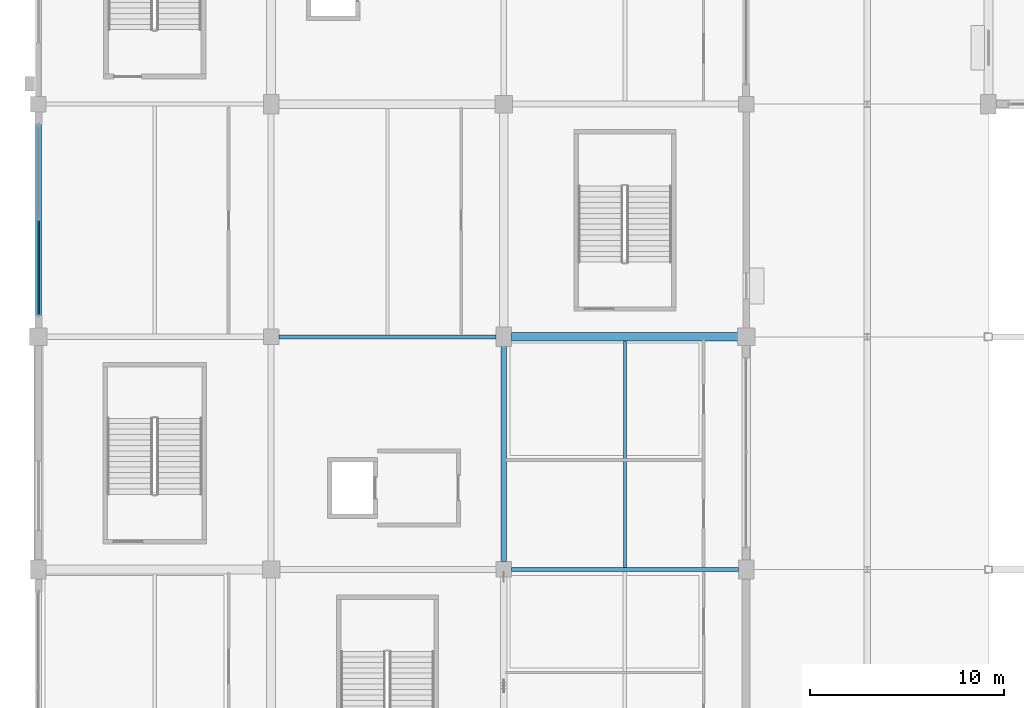
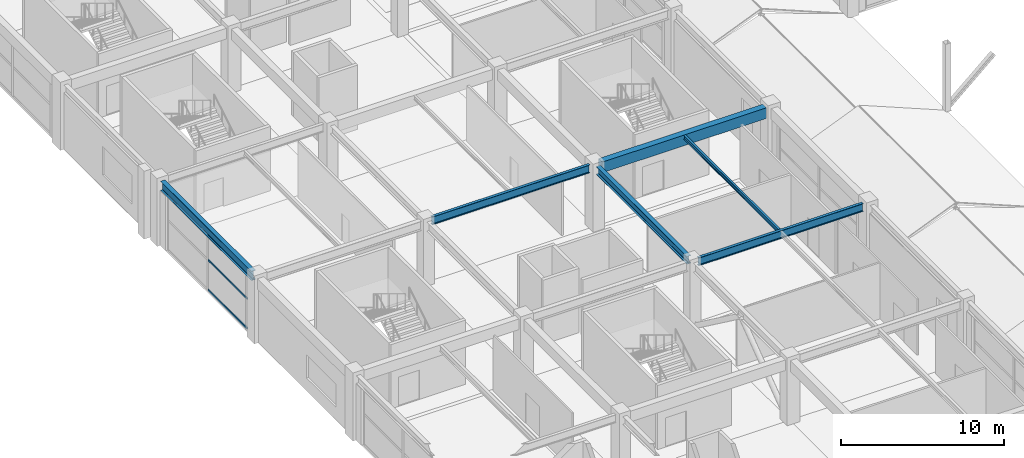
# One storey, part 26 of 116: 6 beams, 3 members, 1 element without a shape of its own.
"""IFC4 building model written with IfcOpenShell, lengths in metres."""

from ifc_helpers import new_model, si_unit, direction, frame, origin, origin_2d, place, context, subcontext, project, spatial, rectangle, i_section, extrude, material, layer, layer_set, material_profile, profile_set, type_object, element, aggregate, save


model = new_model("IFC4")

# Units and contexts
model_context = context("Model", 3, precision=1e-05, world=origin(), true_north=direction((0.0, 1.0)))
body_context = subcontext(model_context, "Body", "Model", "MODEL_VIEW")
ifc_project = project(units=[si_unit("LENGTHUNIT", "METRE"), si_unit("AREAUNIT", "SQUARE_METRE"), si_unit("VOLUMEUNIT", "CUBIC_METRE"), si_unit("PLANEANGLEUNIT", "RADIAN"), si_unit("MASSUNIT", "GRAM", prefix="KILO")], contexts=[model_context])

# Site, building, storey
site_placement = place(None, origin())
site = spatial("IfcSite", under=ifc_project, at=site_placement, CompositionType="ELEMENT")
building_placement = place(site_placement, origin())
building = spatial("IfcBuilding", under=site, at=building_placement, Name="Kazenohara Klinker Stadium", CompositionType="ELEMENT")
storey_placement = place(building_placement, frame((0.0, 0.0, 10.199951171875)))
storey = spatial("IfcBuildingStorey", under=building, at=storey_placement, Name="L02", CompositionType="ELEMENT", Elevation=10.199951171875)

# Beams
ifc_material_1 = material(Name="Steel S355", Category="steel")
ifc_material_profile_1 = material_profile(ifc_material_1, i_section(OverallWidth=0.14990234375, OverallDepth=0.300048828125, WebThickness=0.006591796875, FlangeThickness=0.009033203125, FilletRadius=0.012939453125, at=origin_2d()), Name="H-300x150x6.5x9")
ifc_profile_set_1 = profile_set([ifc_material_profile_1], Name="Steel S355")
beam_type_1 = type_object("IfcBeamType", Name="BM-JST05", PredefinedType="JOIST", material=ifc_profile_set_1)
beam_1_placement = place(storey_placement, frame((30.25, 108.10009765625, 4.670166015625), z_axis=(0.0, 1.0, 0.0), x_axis=(-1.0, 0.0, 0.0)))
element("IfcBeam", 1, at=beam_1_placement, inside=storey, type_object=beam_type_1, Name="Secondary floor joist SJ05 L02 3/K", PredefinedType="JOIST", context=body_context, shape_type="SweptSolid", body=[
    extrude(i_section(OverallWidth=0.14990234375, OverallDepth=0.300048828125, WebThickness=0.006591796875, FlangeThickness=0.009033203125, FilletRadius=0.012939453125, at=origin_2d()), origin(), (0.0, 0.0, 1.0), 11.6748046875),
])
ifc_material_2 = material(Name="Concrete C40/50", Category="concrete")
ifc_material_profile_2 = material_profile(ifc_material_2, rectangle(XDim=0.449951171875, YDim=0.800048828125, at=origin_2d()), Name="RC-BM-450x800")
ifc_profile_set_2 = profile_set([ifc_material_profile_2], Name="Concrete C40/50")
beam_type_2 = type_object("IfcBeamType", Name="BM-RC03", PredefinedType="BEAM", material=ifc_profile_set_2)
beam_2_placement = place(storey_placement, frame((24.39990234375, 120.0, 4.420166015625), z_axis=(1.0, 0.0, 0.0), x_axis=(0.0, 1.0, 0.0)))
element("IfcBeam", 2, at=beam_2_placement, inside=storey, type_object=beam_type_2, Name="Primary girder BG03 L02 3-4/L", PredefinedType="BEAM", context=body_context, shape_type="SweptSolid", body=[
    extrude(rectangle(XDim=0.449951171875, YDim=0.800048828125, at=origin_2d()), origin(), (0.0, 0.0, 1.0), 11.68017578125),
])
ifc_material_profile_3 = material_profile(ifc_material_1, i_section(OverallWidth=0.300048828125, OverallDepth=0.699951171875, WebThickness=0.012939453125, FlangeThickness=0.02392578125, FilletRadius=0.02197265625, at=origin_2d()), Name="H-700x300x13x24")
ifc_profile_set_3 = profile_set([ifc_material_profile_3], Name="Steel S355")
beam_type_3 = type_object("IfcBeamType", Name="BM-ST03", PredefinedType="BEAM", material=ifc_profile_set_3)
beam_3_placement = place(storey_placement, frame((0.0, 120.419921875, 4.469970703125), z_axis=(0.0, 1.0, 0.0), x_axis=(-1.0, 0.0, 0.0)))
element("IfcBeam", 3, at=beam_3_placement, inside=storey, type_object=beam_type_3, Name="Primary girder SB03 L02 1/L-M", PredefinedType="BEAM", context=body_context, shape_type="SweptSolid", body=[
    extrude(i_section(OverallWidth=0.300048828125, OverallDepth=0.699951171875, WebThickness=0.012939453125, FlangeThickness=0.02392578125, FilletRadius=0.02197265625, at=origin_2d()), origin(), (0.0, 0.0, 1.0), 11.18017578125),
])
ifc_material_profile_4 = material_profile(ifc_material_1, i_section(OverallWidth=0.199951171875, OverallDepth=0.60009765625, WebThickness=0.010986328125, FlangeThickness=0.01708984375, FilletRadius=0.012939453125, at=origin_2d()), Name="H-600x200x11x17")
ifc_profile_set_4 = profile_set([ifc_material_profile_4], Name="Steel S355")
beam_type_4 = type_object("IfcBeamType", Name="BM-ST04", PredefinedType="BEAM", material=ifc_profile_set_4)
beam_4_placement = place(storey_placement, frame((12.39990234375, 120.0, 4.52001953125), z_axis=(1.0, 0.0, 0.0), x_axis=(0.0, 1.0, 0.0)))
element("IfcBeam", 4, at=beam_4_placement, inside=storey, type_object=beam_type_4, Name="Primary girder SB04 L02 2-3/L", PredefinedType="BEAM", context=body_context, shape_type="SweptSolid", body=[
    extrude(i_section(OverallWidth=0.199951171875, OverallDepth=0.60009765625, WebThickness=0.010986328125, FlangeThickness=0.01708984375, FilletRadius=0.012939453125, at=origin_2d()), origin(), (0.0, 0.0, 1.0), 11.2001953125),
])
beam_5_placement = place(storey_placement, frame((24.39990234375, 108.0, 4.52001953125), z_axis=(1.0, 0.0, 0.0), x_axis=(0.0, 1.0, 0.0)))
element("IfcBeam", 5, at=beam_5_placement, inside=storey, type_object=beam_type_4, Name="Primary girder SB04 L02 3-4/K", PredefinedType="BEAM", context=body_context, shape_type="SweptSolid", body=[
    extrude(i_section(OverallWidth=0.199951171875, OverallDepth=0.60009765625, WebThickness=0.010986328125, FlangeThickness=0.01708984375, FilletRadius=0.012939453125, at=origin_2d()), origin(), (0.0, 0.0, 1.0), 11.7001953125),
])
ifc_material_profile_5 = material_profile(ifc_material_1, i_section(OverallWidth=0.300048828125, OverallDepth=0.587890625, WebThickness=0.011962890625, FlangeThickness=0.02001953125, FilletRadius=0.02197265625, at=origin_2d()), Name="H-588x300x12x20")
ifc_profile_set_5 = profile_set([ifc_material_profile_5], Name="Steel S355")
beam_type_5 = type_object("IfcBeamType", Name="BM-ST05", PredefinedType="BEAM", material=ifc_profile_set_5)
beam_6_placement = place(storey_placement, frame((24.0, 108.39990234375, 4.526123046875), z_axis=(0.0, 1.0, 0.0), x_axis=(-1.0, 0.0, 0.0)))
element("IfcBeam", 6, at=beam_6_placement, inside=storey, type_object=beam_type_5, Name="Primary girder SB05 L02 3/K-L", PredefinedType="BEAM", context=body_context, shape_type="SweptSolid", body=[
    extrude(i_section(OverallWidth=0.300048828125, OverallDepth=0.587890625, WebThickness=0.011962890625, FlangeThickness=0.02001953125, FilletRadius=0.02197265625, at=origin_2d()), origin(), (0.0, 0.0, 1.0), 11.18017578125),
])

# Curtain wall, members
ifc_material_3 = material(Name="Anodised aluminium and triple glazing", Category="aluminium")
ifc_layer = layer(ifc_material_3, 0.159912109375)
ifc_layer_set = layer_set([ifc_layer], Name="Anodised aluminium and triple glazing")
curtain_wall_type = type_object("IfcCurtainWallType", Name="CW-SYS-01", PredefinedType="USERDEFINED", material=ifc_layer_set)
curtain_wall_placement = place(storey_placement, origin())
curtain_wall = element("IfcCurtainWall", 7, at=curtain_wall_placement, inside=storey, type_object=curtain_wall_type, Name="Unitised facade curtain wall CW01 L02 Y0-10", ObjectType="UNITISED CURTAIN WALL", PredefinedType="USERDEFINED")
ifc_material_4 = material(Name="Anodised aluminium 6063-T6", Category="aluminium")
ifc_material_profile_6 = material_profile(ifc_material_4, rectangle(XDim=0.06494140625, YDim=0.139892578125, at=origin_2d()), Name="ALU-TRN-65x140")
ifc_profile_set_6 = profile_set([ifc_material_profile_6], Name="Anodised aluminium 6063-T6")
member_type = type_object("IfcMemberType", Name="CW-TRN-140", PredefinedType="USERDEFINED", material=ifc_profile_set_6)
member_1_placement = place(storey_placement, frame((0.0, 121.1689453125, 0.032470703125), z_axis=(0.0, 1.0, 0.0), x_axis=(-1.0, 0.0, 0.0)))
member_1 = element("IfcMember", 8, at=member_1_placement, type_object=member_type, Name="CW01 transom 1.1", ObjectType="TRANSOM", PredefinedType="USERDEFINED", context=body_context, shape_type="SweptSolid", body=[
    extrude(rectangle(XDim=0.06494140625, YDim=0.139892578125, at=origin_2d()), origin(), (0.0, 0.0, 1.0), 4.823486328125),
])
member_2_placement = place(storey_placement, frame((0.0, 121.1689453125, 2.26611328125), z_axis=(0.0, 1.0, 0.0), x_axis=(-1.0, 0.0, 0.0)))
member_2 = element("IfcMember", 9, at=member_2_placement, type_object=member_type, Name="CW01 transom 1.2", ObjectType="TRANSOM", PredefinedType="USERDEFINED", context=body_context, shape_type="SweptSolid", body=[
    extrude(rectangle(XDim=0.06494140625, YDim=0.139892578125, at=origin_2d()), origin(), (0.0, 0.0, 1.0), 4.823486328125),
])
member_3_placement = place(storey_placement, frame((0.0, 121.1689453125, 4.087646484375), z_axis=(0.0, 1.0, 0.0), x_axis=(-1.0, 0.0, 0.0)))
member_3 = element("IfcMember", 10, at=member_3_placement, type_object=member_type, Name="CW01 transom 1.3", ObjectType="TRANSOM", PredefinedType="USERDEFINED", context=body_context, shape_type="SweptSolid", body=[
    extrude(rectangle(XDim=0.06494140625, YDim=0.139892578125, at=origin_2d()), origin(), (0.0, 0.0, 1.0), 4.823486328125),
])
aggregate(curtain_wall, [member_1, member_2, member_3])

save(model, "model.ifc")
